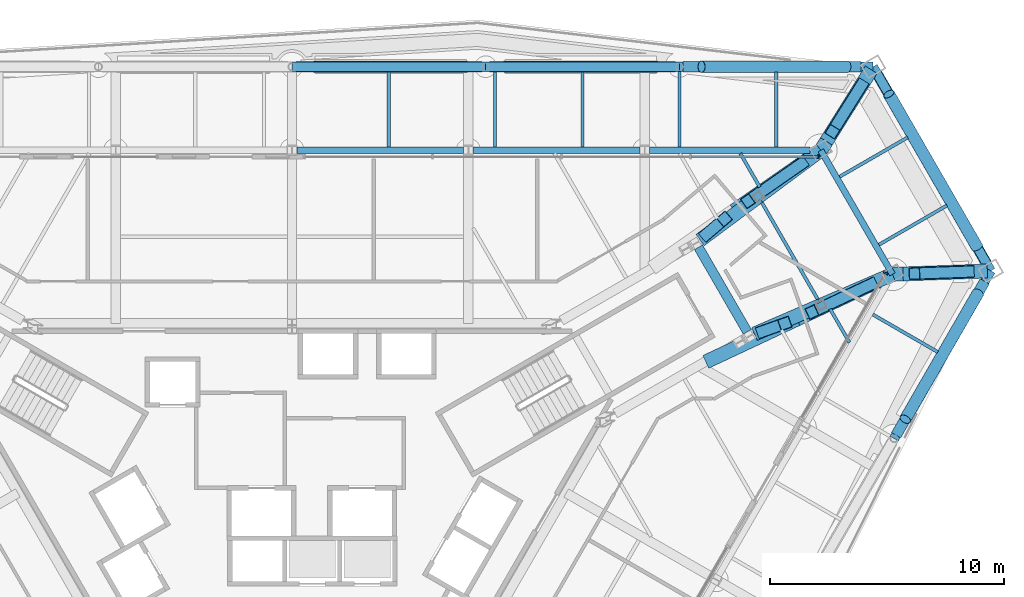
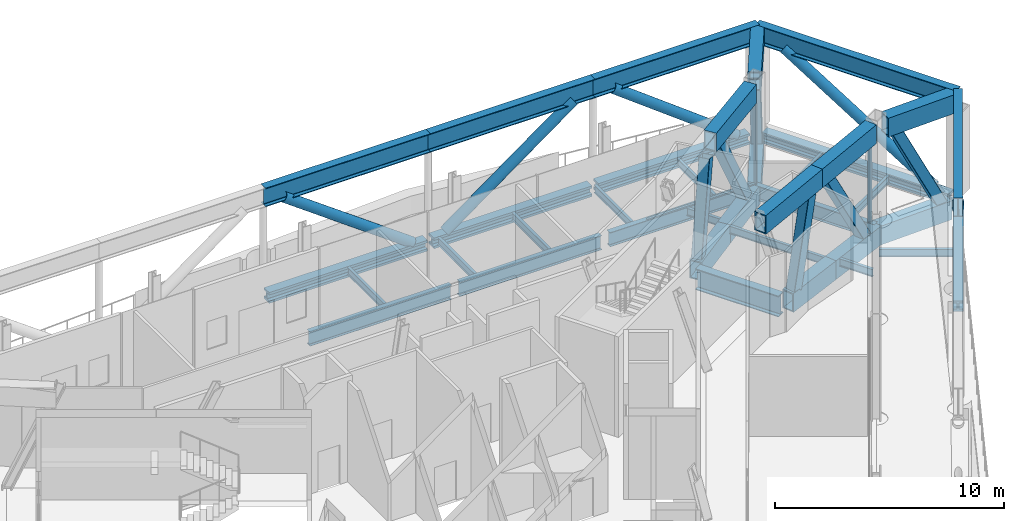
# One storey, part 12 of 25: 37 beams, 14 members, 2 elements without a shape of their own.
"""IFC4 building model written with IfcOpenShell, lengths in metres."""

from ifc_helpers import new_model, si_unit, direction, frame, origin, origin_2d, place, context, subcontext, project, spatial, rectangle, hollow_rectangle, hollow_circle, i_section, extrude, material, material_profile, profile_set, type_object, element, aggregate, save


model = new_model("IFC4")

# Units and contexts
model_context = context("Model", 3, precision=1e-05, world=origin(), true_north=direction((0.0, 1.0)))
body_context = subcontext(model_context, "Body", "Model", "MODEL_VIEW")
ifc_project = project(units=[si_unit("LENGTHUNIT", "METRE"), si_unit("AREAUNIT", "SQUARE_METRE"), si_unit("VOLUMEUNIT", "CUBIC_METRE"), si_unit("PLANEANGLEUNIT", "RADIAN"), si_unit("MASSUNIT", "GRAM", prefix="KILO")], contexts=[model_context])

# Site, building, storey
site_placement = place(None, origin())
site = spatial("IfcSite", under=ifc_project, at=site_placement, CompositionType="ELEMENT")
building_placement = place(site_placement, origin())
building = spatial("IfcBuilding", under=site, at=building_placement, Name="Verrane Prism Tower", CompositionType="ELEMENT")
storey_placement = place(building_placement, frame((0.0, 0.0, 143.199951171875)))
storey = spatial("IfcBuildingStorey", under=building, at=storey_placement, Name="L35", CompositionType="ELEMENT", Elevation=143.199951171875)

# Beams
ifc_material_1 = material(Name="Steel A992", Category="steel")
ifc_material_profile_1 = material_profile(ifc_material_1, i_section(OverallWidth=0.45458984375, OverallDepth=0.56884765625, WebThickness=0.077880859375, FlangeThickness=0.124755859375, FilletRadius=0.01513671875, at=origin_2d()), Name="W14x730")
ifc_profile_set_1 = profile_set([ifc_material_profile_1], Name="Steel A992")
beam_type_1 = type_object("IfcBeamType", Name="Belt truss chord W14x730", PredefinedType="BEAM", material=ifc_profile_set_1)
beam_1_placement = place(storey_placement, frame((24.3603515625, 20.18994140625, -0.445556640625), z_axis=(-1.0, 0.0, 0.0), x_axis=(0.0, -1.0, 0.0)))
element("IfcBeam", 1, at=beam_1_placement, inside=storey, type_object=beam_type_1, Name="Belt truss chord L35", PredefinedType="BEAM", context=body_context, shape_type="SweptSolid", body=[
    extrude(i_section(OverallWidth=0.45458984375, OverallDepth=0.56884765625, WebThickness=0.077880859375, FlangeThickness=0.124755859375, FilletRadius=0.01513671875, at=origin_2d()), origin(), (0.0, 0.0, 1.0), 7.61767578125),
])
for number, where, z_axis, x_axis, name in (
    (2, (16.41748046875, 20.18994140625, -0.445556640625), (-1.0, 0.0, 0.0), (0.0, -1.0, 0.0), "Belt truss chord L35"),
    (3, (8.12744140625, 20.18994140625, -0.445556640625), (-1.0, 0.0, 0.0), (0.0, -1.0, 0.0), "Belt truss chord L35"),
):
    element("IfcBeam", number, at=place(storey_placement, frame(where, z_axis=z_axis, x_axis=x_axis)), inside=storey, type_object=beam_type_1, Name=name, PredefinedType="BEAM", context=body_context, shape_type="SweptSolid", body=[
        extrude(i_section(OverallWidth=0.45458984375, OverallDepth=0.56884765625, WebThickness=0.077880859375, FlangeThickness=0.124755859375, FilletRadius=0.01513671875, at=origin_2d()), origin(), (0.0, 0.0, 1.0), 7.96484375),
    ])
beam_2_placement = place(storey_placement, frame((25.861083984375, 4.410888671875, -0.445556640625), z_axis=(0.499529773895, 0.866296718794, 0.0), x_axis=(-0.866296718794, 0.499529773895, 0.0)))
element("IfcBeam", 4, at=beam_2_placement, inside=storey, type_object=beam_type_1, Name="Belt truss chord L35", PredefinedType="BEAM", context=body_context, shape_type="SweptSolid", body=[
    extrude(i_section(OverallWidth=0.45458984375, OverallDepth=0.56884765625, WebThickness=0.077880859375, FlangeThickness=0.124755859375, FilletRadius=0.01513671875, at=origin_2d()), origin(), (0.0, 0.0, 1.0), 7.605712890625),
])
beam_3_placement = place(storey_placement, frame((29.7451171875, 11.753173828125, -0.445556640625), z_axis=(-0.499562619687, 0.866277778205, 0.0), x_axis=(-0.866277778205, -0.499562619687, 0.0)))
element("IfcBeam", 5, at=beam_3_placement, inside=storey, type_object=beam_type_1, Name="Belt truss chord L35", PredefinedType="BEAM", context=body_context, shape_type="SweptSolid", body=[
    extrude(i_section(OverallWidth=0.45458984375, OverallDepth=0.56884765625, WebThickness=0.077880859375, FlangeThickness=0.124755859375, FilletRadius=0.01513671875, at=origin_2d()), origin(), (0.0, 0.0, 1.0), 9.38916015625),
])
ifc_material_2 = material(Name="Steel A992", Category="steel")
ifc_material_profile_2 = material_profile(ifc_material_2, i_section(OverallWidth=0.4013671875, OverallDepth=1.000732421875, WebThickness=0.01904296875, FlangeThickness=0.0361328125, FilletRadius=0.030029296875, at=origin_2d()), Name="W40x249")
ifc_profile_set_2 = profile_set([ifc_material_profile_2], Name="Steel A992")
beam_type_2 = type_object("IfcBeamType", Name="Belt truss chord W40x249", PredefinedType="BEAM", material=ifc_profile_set_2)
beam_4_placement = place(storey_placement, frame((24.8798828125, 20.18994140625, 4.939697265625), z_axis=(-1.0, 0.0, 0.0), x_axis=(0.0, -1.0, 0.0)))
element("IfcBeam", 6, at=beam_4_placement, inside=storey, type_object=beam_type_2, Name="Belt truss chord L35", PredefinedType="BEAM", context=body_context, shape_type="SweptSolid", body=[
    extrude(i_section(OverallWidth=0.4013671875, OverallDepth=1.000732421875, WebThickness=0.01904296875, FlangeThickness=0.0361328125, FilletRadius=0.030029296875, at=origin_2d()), origin(), (0.0, 0.0, 1.0), 8.2998046875),
])
for number, where, z_axis, x_axis, name in (
    (7, (16.580078125, 20.18994140625, 4.939697265625), (-1.0, 0.0, 0.0), (0.0, -1.0, 0.0), "Belt truss chord L35"),
    (8, (8.2900390625, 20.18994140625, 4.939697265625), (-1.0, 0.0, 0.0), (0.0, -1.0, 0.0), "Belt truss chord L35"),
):
    element("IfcBeam", number, at=place(storey_placement, frame(where, z_axis=z_axis, x_axis=x_axis)), inside=storey, type_object=beam_type_2, Name=name, PredefinedType="BEAM", context=body_context, shape_type="SweptSolid", body=[
        extrude(i_section(OverallWidth=0.4013671875, OverallDepth=1.000732421875, WebThickness=0.01904296875, FlangeThickness=0.0361328125, FilletRadius=0.030029296875, at=origin_2d()), origin(), (0.0, 0.0, 1.0), 8.2900390625),
    ])
beam_5_placement = place(storey_placement, frame((25.780029296875, 4.27001953125, 4.939697265625), z_axis=(0.499507376936, 0.866309633091, 0.0), x_axis=(-0.866309633091, 0.499507376936, 0.0)))
element("IfcBeam", 9, at=beam_5_placement, inside=storey, type_object=beam_type_2, Name="Belt truss chord L35", PredefinedType="BEAM", context=body_context, shape_type="SweptSolid", body=[
    extrude(i_section(OverallWidth=0.4013671875, OverallDepth=1.000732421875, WebThickness=0.01904296875, FlangeThickness=0.0361328125, FilletRadius=0.030029296875, at=origin_2d()), origin(), (0.0, 0.0, 1.0), 8.287841796875),
])
beam_6_placement = place(storey_placement, frame((29.919921875, 11.449951171875, 4.939697265625), z_axis=(-0.499554155602, 0.866282659194, 0.0), x_axis=(-0.866282659194, -0.499554155602, 0.0)))
element("IfcBeam", 10, at=beam_6_placement, inside=storey, type_object=beam_type_2, Name="Belt truss chord L35", PredefinedType="BEAM", context=body_context, shape_type="SweptSolid", body=[
    extrude(i_section(OverallWidth=0.4013671875, OverallDepth=1.000732421875, WebThickness=0.01904296875, FlangeThickness=0.0361328125, FilletRadius=0.030029296875, at=origin_2d()), origin(), (0.0, 0.0, 1.0), 10.089111328125),
])

# Members
ifc_material_3 = material(Name="Steel A500 Grade C", Category="steel")
ifc_material_profile_3 = material_profile(ifc_material_3, hollow_circle(Radius=0.25390625, WallThickness=0.0126953125, at=origin_2d()), Name="HSS20.000x0.500")
ifc_profile_set_3 = profile_set([ifc_material_profile_3], Name="Steel A500 Grade C")
member_type_1 = type_object("IfcMemberType", Name="Belt truss diagonal HSS20.000x0.500", PredefinedType="BRACE", material=ifc_profile_set_3)
member_1_placement = place(storey_placement, frame((29.330322265625, 12.47265625, -0.160888671875), z_axis=(-0.423968800336, 0.735208230676, 0.528884972265), x_axis=(-0.866282369064, -0.499554658721, 0.0)))
element("IfcMember", 11, at=member_1_placement, inside=storey, type_object=member_type_1, Name="Belt truss diagonal L35", PredefinedType="BRACE", context=body_context, shape_type="SweptSolid", body=[
    extrude(hollow_circle(Radius=0.25390625, WallThickness=0.0126953125, at=origin_2d()), origin(), (0.0, 0.0, 1.0), 8.905517578125),
])
member_2_placement = place(storey_placement, frame((23.77880859375, 20.18994140625, -0.160888671875), z_axis=(-0.798371479892, 0.0, 0.602165243181), x_axis=(0.0, -1.0, 0.0)))
element("IfcMember", 12, at=member_2_placement, inside=storey, type_object=member_type_1, Name="Belt truss diagonal L35", PredefinedType="BRACE", context=body_context, shape_type="SweptSolid", body=[
    extrude(hollow_circle(Radius=0.25390625, WallThickness=0.0126953125, at=origin_2d()), origin(), (0.0, 0.0, 1.0), 7.82177734375),
])
for number, where, z_axis, x_axis, name in (
    (13, (9.118408203125, 20.18994140625, -0.160888671875), (0.809215173092, 0.0, 0.587512385944), (0.0, 1.0, 0.0), "Belt truss diagonal L35"),
    (14, (7.461669921875, 20.18994140625, -0.160888671875), (-0.809215173092, 0.0, 0.587512385944), (0.0, -1.0, 0.0), "Belt truss diagonal L35"),
):
    element("IfcMember", number, at=place(storey_placement, frame(where, z_axis=z_axis, x_axis=x_axis)), inside=storey, type_object=member_type_1, Name=name, PredefinedType="BRACE", context=body_context, shape_type="SweptSolid", body=[
        extrude(hollow_circle(Radius=0.25390625, WallThickness=0.0126953125, at=origin_2d()), origin(), (0.0, 0.0, 1.0), 8.016845703125),
    ])
member_3_placement = place(storey_placement, frame((29.370361328125, 10.49658203125, -0.160888671875), z_axis=(-0.398552898475, -0.69121040119, 0.602813211869), x_axis=(0.866306176798, -0.499513371234, 0.0)))
element("IfcMember", 15, at=member_3_placement, inside=storey, type_object=member_type_1, Name="Belt truss diagonal L35", PredefinedType="BRACE", context=body_context, shape_type="SweptSolid", body=[
    extrude(hollow_circle(Radius=0.25390625, WallThickness=0.0126953125, at=origin_2d()), origin(), (0.0, 0.0, 1.0), 7.813232421875),
])

# Beams
ifc_material_4 = material(Name="Steel A992", Category="steel")
ifc_material_profile_4 = material_profile(ifc_material_4, i_section(OverallWidth=0.2666015625, OverallDepth=0.76708984375, WebThickness=0.014892578125, FlangeThickness=0.023681640625, FilletRadius=0.0166015625, at=origin_2d()), Name="W30x124")
ifc_profile_set_4 = profile_set([ifc_material_profile_4], Name="Steel A992")
beam_type_3 = type_object("IfcBeamType", Name="Chamfer spandrel beam W30x124", PredefinedType="SPANDREL", material=ifc_profile_set_4)
beam_7_placement = place(storey_placement, frame((25.7099609375, 11.300048828125, -0.54345703125), z_axis=(-0.500526255644, 0.86572135668, 0.0), x_axis=(-0.86572135668, -0.500526255644, 0.0)))
element("IfcBeam", 16, at=beam_7_placement, inside=storey, type_object=beam_type_3, Name="Chamfer spandrel beam L35", PredefinedType="SPANDREL", context=body_context, shape_type="SweptSolid", body=[
    extrude(i_section(OverallWidth=0.2666015625, OverallDepth=0.76708984375, WebThickness=0.014892578125, FlangeThickness=0.023681640625, FilletRadius=0.0166015625, at=origin_2d()), origin(), (0.0, 0.0, 1.0), 6.1337890625),
])
ifc_material_5 = material(Name="Steel A992", Category="steel")
ifc_material_profile_5 = material_profile(ifc_material_5, i_section(OverallWidth=0.140380859375, OverallDepth=0.40380859375, WebThickness=0.007080078125, FlangeThickness=0.01123046875, FilletRadius=0.01025390625, at=origin_2d()), Name="W16x31")
ifc_profile_set_5 = profile_set([ifc_material_profile_5], Name="Steel A992")
beam_type_4 = type_object("IfcBeamType", Name="Floor beam W16x31", PredefinedType="BEAM", material=ifc_profile_set_5)
beam_8_placement = place(storey_placement, frame((20.7333984375, 16.743408203125, -0.36181640625), z_axis=(0.0, 1.0, 0.0), x_axis=(-1.0, 0.0, 0.0)))
element("IfcBeam", 17, at=beam_8_placement, inside=storey, type_object=beam_type_4, Name="Floor beam L35", PredefinedType="BEAM", context=body_context, shape_type="SweptSolid", body=[
    extrude(i_section(OverallWidth=0.140380859375, OverallDepth=0.40380859375, WebThickness=0.007080078125, FlangeThickness=0.01123046875, FilletRadius=0.01025390625, at=origin_2d()), origin(), (0.0, 0.0, 1.0), 3.218994140625),
])
beam_9_placement = place(storey_placement, frame((16.586669921875, 16.743408203125, -0.36181640625), z_axis=(0.0, 1.0, 0.0), x_axis=(-1.0, 0.0, 0.0)))
element("IfcBeam", 18, at=beam_9_placement, inside=storey, type_object=beam_type_4, Name="Floor beam L35", PredefinedType="BEAM", context=body_context, shape_type="SweptSolid", body=[
    extrude(i_section(OverallWidth=0.140380859375, OverallDepth=0.40380859375, WebThickness=0.007080078125, FlangeThickness=0.01123046875, FilletRadius=0.01025390625, at=origin_2d()), origin(), (0.0, 0.0, 1.0), 3.24609375),
])
for number, where, z_axis, x_axis, name in (
    (19, (12.43994140625, 16.743408203125, -0.36181640625), (0.0, 1.0, 0.0), (-1.0, 0.0, 0.0), "Floor beam L35"),
    (20, (8.693359375, 16.743408203125, -0.36181640625), (0.0, 1.0, 0.0), (-1.0, 0.0, 0.0), "Floor beam L35"),
    (21, (4.146728515625, 16.743408203125, -0.36181640625), (0.0, 1.0, 0.0), (-1.0, 0.0, 0.0), "Floor beam L35"),
):
    element("IfcBeam", number, at=place(storey_placement, frame(where, z_axis=z_axis, x_axis=x_axis)), inside=storey, type_object=beam_type_4, Name=name, PredefinedType="BEAM", context=body_context, shape_type="SweptSolid", body=[
        extrude(i_section(OverallWidth=0.140380859375, OverallDepth=0.40380859375, WebThickness=0.007080078125, FlangeThickness=0.01123046875, FilletRadius=0.01025390625, at=origin_2d()), origin(), (0.0, 0.0, 1.0), 3.218994140625),
    ])
beam_10_placement = place(storey_placement, frame((20.02490234375, 15.03955078125, -0.36181640625), z_axis=(-0.499968694491, 0.866043477274, 0.0), x_axis=(-0.866043477274, -0.499968694491, 0.0)))
element("IfcBeam", 22, at=beam_10_placement, inside=storey, type_object=beam_type_4, Name="Floor beam L35", PredefinedType="BEAM", context=body_context, shape_type="SweptSolid", body=[
    extrude(i_section(OverallWidth=0.140380859375, OverallDepth=0.40380859375, WebThickness=0.007080078125, FlangeThickness=0.01123046875, FilletRadius=0.01025390625, at=origin_2d()), origin(), (0.0, 0.0, 1.0), 1.6591796875),
])
beam_11_placement = place(storey_placement, frame((27.652099609375, 7.971923828125, -0.36181640625), z_axis=(-0.866009786687, 0.500027048631, 0.0), x_axis=(-0.500027048631, -0.866009786687, 0.0)))
element("IfcBeam", 23, at=beam_11_placement, inside=storey, type_object=beam_type_4, Name="Floor beam L35", PredefinedType="BEAM", context=body_context, shape_type="SweptSolid", body=[
    extrude(i_section(OverallWidth=0.140380859375, OverallDepth=0.40380859375, WebThickness=0.007080078125, FlangeThickness=0.01123046875, FilletRadius=0.01025390625, at=origin_2d()), origin(), (0.0, 0.0, 1.0), 3.214599609375),
])
beam_12_placement = place(storey_placement, frame((23.867919921875, 8.384033203125, -0.36181640625), z_axis=(-0.500147508754, 0.865940222814, 0.0), x_axis=(-0.865940222814, -0.500147508754, 0.0)))
element("IfcBeam", 24, at=beam_12_placement, inside=storey, type_object=beam_type_4, Name="Floor beam L35", PredefinedType="BEAM", context=body_context, shape_type="SweptSolid", body=[
    extrude(i_section(OverallWidth=0.140380859375, OverallDepth=0.40380859375, WebThickness=0.007080078125, FlangeThickness=0.01123046875, FilletRadius=0.01025390625, at=origin_2d()), origin(), (0.0, 0.0, 1.0), 1.6572265625),
])
beam_13_placement = place(storey_placement, frame((25.130859375, 12.568359375, -0.36181640625), z_axis=(0.86604533599, 0.499965474818, 0.0), x_axis=(-0.499965474818, 0.86604533599, 0.0)))
element("IfcBeam", 25, at=beam_13_placement, inside=storey, type_object=beam_type_4, Name="Floor beam L35", PredefinedType="BEAM", context=body_context, shape_type="SweptSolid", body=[
    extrude(i_section(OverallWidth=0.140380859375, OverallDepth=0.40380859375, WebThickness=0.007080078125, FlangeThickness=0.01123046875, FilletRadius=0.01025390625, at=origin_2d()), origin(), (0.0, 0.0, 1.0), 3.362548828125),
])
beam_14_placement = place(storey_placement, frame((23.44775390625, 15.479736328125, -0.36181640625), z_axis=(0.86602978671, 0.499992408473, 0.0), x_axis=(-0.499992408473, 0.86602978671, 0.0)))
element("IfcBeam", 26, at=beam_14_placement, inside=storey, type_object=beam_type_4, Name="Floor beam L35", PredefinedType="BEAM", context=body_context, shape_type="SweptSolid", body=[
    extrude(i_section(OverallWidth=0.140380859375, OverallDepth=0.40380859375, WebThickness=0.007080078125, FlangeThickness=0.01123046875, FilletRadius=0.01025390625, at=origin_2d()), origin(), (0.0, 0.0, 1.0), 3.3662109375),
])
beam_15_placement = place(storey_placement, frame((22.503173828125, 10.2412109375, -0.36181640625), z_axis=(-0.500005049665, 0.866022488339, 0.0), x_axis=(-0.866022488339, -0.500005049665, 0.0)))
element("IfcBeam", 27, at=beam_15_placement, inside=storey, type_object=beam_type_4, Name="Floor beam L35", PredefinedType="BEAM", context=body_context, shape_type="SweptSolid", body=[
    extrude(i_section(OverallWidth=0.140380859375, OverallDepth=0.40380859375, WebThickness=0.007080078125, FlangeThickness=0.01123046875, FilletRadius=0.01025390625, at=origin_2d()), origin(), (0.0, 0.0, 1.0), 4.76123046875),
])

# Curtain wall, member
ifc_material_6 = material(Name="Aluminium framed insulated glazing", Category="aluminium")
curtain_wall_type_1 = type_object("IfcCurtainWallType", Name="Curtain wall CW-B 5600 module", PredefinedType="NOTDEFINED", material=ifc_material_6)
curtain_wall_1_placement = place(storey_placement, origin())
curtain_wall_1 = element("IfcCurtainWall", 28, at=curtain_wall_1_placement, inside=storey, type_object=curtain_wall_type_1, Name="Refuge lounge glazing north face L35 1", PredefinedType="NOTDEFINED")
ifc_material_7 = material(Name="Aluminium alloy 6063-T6", Category="aluminium")
ifc_material_profile_6 = material_profile(ifc_material_7, rectangle(XDim=0.159912109375, YDim=0.06005859375, at=origin_2d()), Name="Mullion 60x160 aluminium")
ifc_profile_set_6 = profile_set([ifc_material_profile_6], Name="Aluminium alloy 6063-T6")
member_type_2 = type_object("IfcMemberType", Name="Mullion 60x160 aluminium", PredefinedType="MULLION", material=ifc_profile_set_6)
member_4_placement = place(storey_placement, frame((22.540283203125, 16.3310546875, 0.0), z_axis=(0.0, 0.0, 1.0), x_axis=(0.0, -1.0, 0.0)))
member_4 = element("IfcMember", 29, at=member_4_placement, type_object=member_type_2, Name="CW35.2.1 mullion 1", PredefinedType="MULLION", context=body_context, shape_type="SweptSolid", body=[
    extrude(rectangle(XDim=0.159912109375, YDim=0.06005859375, at=origin_2d()), origin(), (0.0, 0.0, 1.0), 4.322509765625),
])

ifc_material_8 = material(Name="Aluminium framed insulated glazing", Category="aluminium")
curtain_wall_type_2 = type_object("IfcCurtainWallType", Name="Curtain wall CW-A 8400 module", PredefinedType="NOTDEFINED", material=ifc_material_8)
curtain_wall_2_placement = place(storey_placement, origin())
curtain_wall_2 = element("IfcCurtainWall", 30, at=curtain_wall_2_placement, inside=storey, type_object=curtain_wall_type_2, Name="Refuge lounge glazing south-east face L35 3", PredefinedType="NOTDEFINED")
ifc_material_9 = material(Name="Aluminium alloy 6063-T6", Category="aluminium")
ifc_material_profile_7 = material_profile(ifc_material_9, rectangle(XDim=0.199951171875, YDim=0.070068359375, at=origin_2d()), Name="Mullion 70x200 aluminium")
ifc_profile_set_7 = profile_set([ifc_material_profile_7], Name="Aluminium alloy 6063-T6")
member_type_3 = type_object("IfcMemberType", Name="Mullion 70x200 aluminium", PredefinedType="MULLION", material=ifc_profile_set_7)
member_5_placement = place(storey_placement, frame((25.41064453125, 11.3505859375, 0.0), z_axis=(0.0, 0.0, 1.0), x_axis=(-0.866022636037, 0.500004793849, 0.0)))
member_5 = element("IfcMember", 31, at=member_5_placement, type_object=member_type_3, Name="CW35.6.3 mullion 2", PredefinedType="MULLION", context=body_context, shape_type="SweptSolid", body=[
    extrude(rectangle(XDim=0.199951171875, YDim=0.070068359375, at=origin_2d()), origin(), (0.0, 0.0, 1.0), 4.322509765625),
])
aggregate(curtain_wall_2, [member_5])

# Beams
ifc_material_10 = material(Name="Steel A572 Grade 50", Category="steel")
ifc_material_profile_8 = material_profile(ifc_material_10, hollow_rectangle(XDim=0.60009765625, YDim=1.0, WallThickness=0.06005859375, at=origin_2d()), Name="BOX 1000x600x60")
ifc_profile_set_8 = profile_set([ifc_material_profile_8], Name="Steel A572 Grade 50")
beam_type_5 = type_object("IfcBeamType", Name="Outrigger truss chord BOX 1000x600x60", PredefinedType="BEAM", material=ifc_profile_set_8)
beam_16_placement = place(storey_placement, frame((29.410888671875, 11.431884765625, -0.659912109375), z_axis=(-0.999366125424, -0.035599822398, 0.0), x_axis=(0.035599822398, -0.999366125424, 0.0)))
element("IfcBeam", 32, at=beam_16_placement, inside=storey, type_object=beam_type_5, Name="Outrigger truss chord L35", PredefinedType="BEAM", context=body_context, shape_type="SweptSolid", body=[
    extrude(hollow_rectangle(XDim=0.60009765625, YDim=1.0, WallThickness=0.06005859375, at=origin_2d()), origin(), (0.0, 0.0, 1.0), 3.703369140625),
])
beam_17_placement = place(storey_placement, frame((25.7099609375, 11.300048828125, -0.659912109375), z_axis=(-0.917964628263, -0.396662250861, 0.0), x_axis=(0.396662250861, -0.917964628263, 0.0)))
element("IfcBeam", 33, at=beam_17_placement, inside=storey, type_object=beam_type_5, Name="Outrigger truss chord L35", PredefinedType="BEAM", context=body_context, shape_type="SweptSolid", body=[
    extrude(hollow_rectangle(XDim=0.60009765625, YDim=1.0, WallThickness=0.06005859375, at=origin_2d()), origin(), (0.0, 0.0, 1.0), 3.327880859375),
])
beam_18_placement = place(storey_placement, frame((22.655029296875, 9.97998046875, -0.659912109375), z_axis=(-0.917959055432, -0.396675147382, 0.0), x_axis=(0.396675147382, -0.917959055432, 0.0)))
element("IfcBeam", 34, at=beam_18_placement, inside=storey, type_object=beam_type_5, Name="Outrigger truss chord L35", PredefinedType="BEAM", context=body_context, shape_type="SweptSolid", body=[
    extrude(hollow_rectangle(XDim=0.60009765625, YDim=1.0, WallThickness=0.06005859375, at=origin_2d()), origin(), (0.0, 0.0, 1.0), 3.109375),
])
beam_19_placement = place(storey_placement, frame((29.77001953125, 11.444580078125, 4.93994140625), z_axis=(-0.99936698325, -0.035575733161, 0.0), x_axis=(0.035575733161, -0.99936698325, 0.0)))
element("IfcBeam", 35, at=beam_19_placement, inside=storey, type_object=beam_type_5, Name="Outrigger truss chord L35", PredefinedType="BEAM", context=body_context, shape_type="SweptSolid", body=[
    extrude(hollow_rectangle(XDim=0.60009765625, YDim=1.0, WallThickness=0.06005859375, at=origin_2d()), origin(), (0.0, 0.0, 1.0), 3.609619140625),
])
beam_20_placement = place(storey_placement, frame((25.346435546875, 11.129638671875, 4.93994140625), z_axis=(-0.905399166904, -0.424561360194, 0.0), x_axis=(0.424561360194, -0.905399166904, 0.0)))
element("IfcBeam", 36, at=beam_20_placement, inside=storey, type_object=beam_type_5, Name="Outrigger truss chord L35", PredefinedType="BEAM", context=body_context, shape_type="SweptSolid", body=[
    extrude(hollow_rectangle(XDim=0.60009765625, YDim=1.0, WallThickness=0.06005859375, at=origin_2d()), origin(), (0.0, 0.0, 1.0), 4.121337890625),
])
beam_21_placement = place(storey_placement, frame((21.614990234375, 9.3798828125, 4.93994140625), z_axis=(-0.905428283881, -0.424499261187, 0.0), x_axis=(0.424499261187, -0.905428283881, 0.0)))
element("IfcBeam", 37, at=beam_21_placement, inside=storey, type_object=beam_type_5, Name="Outrigger truss chord L35", PredefinedType="BEAM", context=body_context, shape_type="SweptSolid", body=[
    extrude(hollow_rectangle(XDim=0.60009765625, YDim=1.0, WallThickness=0.06005859375, at=origin_2d()), origin(), (0.0, 0.0, 1.0), 4.304931640625),
])
beam_22_placement = place(storey_placement, frame((24.60986328125, 19.758056640625, -0.659912109375), z_axis=(-0.53048343398, -0.847695302731, 0.0), x_axis=(0.847695302731, -0.53048343398, 0.0)))
element("IfcBeam", 38, at=beam_22_placement, inside=storey, type_object=beam_type_5, Name="Outrigger truss chord L35", PredefinedType="BEAM", context=body_context, shape_type="SweptSolid", body=[
    extrude(hollow_rectangle(XDim=0.60009765625, YDim=1.0, WallThickness=0.06005859375, at=origin_2d()), origin(), (0.0, 0.0, 1.0), 3.713623046875),
])
beam_23_placement = place(storey_placement, frame((22.639892578125, 16.610107421875, -0.659912109375), z_axis=(-0.802493873122, -0.596660358665, 0.0), x_axis=(0.596660358665, -0.802493873122, 0.0)))
element("IfcBeam", 39, at=beam_23_placement, inside=storey, type_object=beam_type_5, Name="Outrigger truss chord L35", PredefinedType="BEAM", context=body_context, shape_type="SweptSolid", body=[
    extrude(hollow_rectangle(XDim=0.60009765625, YDim=1.0, WallThickness=0.06005859375, at=origin_2d()), origin(), (0.0, 0.0, 1.0), 3.3271484375),
])
beam_24_placement = place(storey_placement, frame((19.969970703125, 14.625, -0.659912109375), z_axis=(-0.802509592696, -0.596639215633, 0.0), x_axis=(0.596639215633, -0.802509592696, 0.0)))
element("IfcBeam", 40, at=beam_24_placement, inside=storey, type_object=beam_type_5, Name="Outrigger truss chord L35", PredefinedType="BEAM", context=body_context, shape_type="SweptSolid", body=[
    extrude(hollow_rectangle(XDim=0.60009765625, YDim=1.0, WallThickness=0.06005859375, at=origin_2d()), origin(), (0.0, 0.0, 1.0), 3.108154296875),
])
beam_25_placement = place(storey_placement, frame((24.80029296875, 20.062744140625, 4.93994140625), z_axis=(-0.530423221315, -0.847732980537, 0.0), x_axis=(0.847732980537, -0.530423221315, 0.0)))
element("IfcBeam", 41, at=beam_25_placement, inside=storey, type_object=beam_type_5, Name="Outrigger truss chord L35", PredefinedType="BEAM", context=body_context, shape_type="SweptSolid", body=[
    extrude(hollow_rectangle(XDim=0.60009765625, YDim=1.0, WallThickness=0.06005859375, at=origin_2d()), origin(), (0.0, 0.0, 1.0), 3.6201171875),
])
beam_26_placement = place(storey_placement, frame((22.310546875, 16.380615234375, 4.93994140625), z_axis=(-0.820452067847, -0.571715317589, 0.0), x_axis=(0.571715317589, -0.820452067847, 0.0)))
element("IfcBeam", 42, at=beam_26_placement, inside=storey, type_object=beam_type_5, Name="Outrigger truss chord L35", PredefinedType="BEAM", context=body_context, shape_type="SweptSolid", body=[
    extrude(hollow_rectangle(XDim=0.60009765625, YDim=1.0, WallThickness=0.06005859375, at=origin_2d()), origin(), (0.0, 0.0, 1.0), 4.120361328125),
])

# Members
ifc_material_11 = material(Name="Steel A500 Grade C", Category="steel")
ifc_material_profile_9 = material_profile(ifc_material_11, hollow_rectangle(XDim=0.508056640625, YDim=0.508056640625, WallThickness=0.01904296875, InnerFilletRadius=0.009521484375, OuterFilletRadius=0.028564453125, at=origin_2d()), Name="HSS20x20x3/4")
ifc_profile_set_9 = profile_set([ifc_material_profile_9], Name="Steel A500 Grade C")
member_type_4 = type_object("IfcMemberType", Name="Outrigger truss diagonal HSS20x20x3/4", PredefinedType="BRACE", material=ifc_profile_set_9)
member_6_placement = place(storey_placement, frame((28.9794921875, 11.41650390625, -0.219970703125), z_axis=(-0.442420948658, -0.015769275872, 0.896668854219), x_axis=(0.035620529592, -0.999365387569, 0.0)))
element("IfcMember", 43, at=member_6_placement, inside=storey, type_object=member_type_4, Name="Outrigger truss diagonal L35", PredefinedType="BRACE", context=body_context, shape_type="SweptSolid", body=[
    extrude(hollow_rectangle(XDim=0.508056640625, YDim=0.508056640625, WallThickness=0.01904296875, InnerFilletRadius=0.009521484375, OuterFilletRadius=0.028564453125, at=origin_2d()), origin(), (0.0, 0.0, 1.0), 5.263916015625),
])
member_7_placement = place(storey_placement, frame((24.81640625, 10.881103515625, -0.219970703125), z_axis=(-0.464502201695, -0.217821430082, 0.858365615118), x_axis=(0.424571339575, -0.905394487288, 0.0)))
element("IfcMember", 44, at=member_7_placement, inside=storey, type_object=member_type_4, Name="Outrigger truss diagonal L35", PredefinedType="BRACE", context=body_context, shape_type="SweptSolid", body=[
    extrude(hollow_rectangle(XDim=0.508056640625, YDim=0.508056640625, WallThickness=0.01904296875, InnerFilletRadius=0.009521484375, OuterFilletRadius=0.028564453125, at=origin_2d()), origin(), (0.0, 0.0, 1.0), 5.498779296875),
])
member_8_placement = place(storey_placement, frame((20.151123046875, 8.85693359375, -0.219970703125), z_axis=(0.196817389631, 0.070309990128, 0.977915855494), x_axis=(-0.336413055, 0.941714530219, 0.0)))
element("IfcMember", 45, at=member_8_placement, inside=storey, type_object=member_type_4, Name="Outrigger truss diagonal L35", PredefinedType="BRACE", context=body_context, shape_type="SweptSolid", body=[
    extrude(hollow_rectangle(XDim=0.508056640625, YDim=0.508056640625, WallThickness=0.01904296875, InnerFilletRadius=0.009521484375, OuterFilletRadius=0.028564453125, at=origin_2d()), origin(), (0.0, 0.0, 1.0), 4.82666015625),
])
member_9_placement = place(storey_placement, frame((24.38037109375, 19.391357421875, -0.219970703125), z_axis=(-0.235534813834, -0.376382964019, 0.896024115673), x_axis=(0.847699092427, -0.53047737812, 0.0)))
element("IfcMember", 46, at=member_9_placement, inside=storey, type_object=member_type_4, Name="Outrigger truss diagonal L35", PredefinedType="BRACE", context=body_context, shape_type="SweptSolid", body=[
    extrude(hollow_rectangle(XDim=0.508056640625, YDim=0.508056640625, WallThickness=0.01904296875, InnerFilletRadius=0.009521484375, OuterFilletRadius=0.028564453125, at=origin_2d()), origin(), (0.0, 0.0, 1.0), 5.267578125),
])
member_10_placement = place(storey_placement, frame((21.830322265625, 16.0458984375, -0.219970703125), z_axis=(-0.420845531038, -0.29323315963, 0.858430750322), x_axis=(0.57168319155, -0.820474453288, 0.0)))
element("IfcMember", 47, at=member_10_placement, inside=storey, type_object=member_type_4, Name="Outrigger truss diagonal L35", PredefinedType="BRACE", context=body_context, shape_type="SweptSolid", body=[
    extrude(hollow_rectangle(XDim=0.508056640625, YDim=0.508056640625, WallThickness=0.01904296875, InnerFilletRadius=0.009521484375, OuterFilletRadius=0.028564453125, at=origin_2d()), origin(), (0.0, 0.0, 1.0), 5.498291015625),
])
member_11_placement = place(storey_placement, frame((17.745849609375, 13.018798828125, -0.219970703125), z_axis=(0.159187526243, 0.135261342604, 0.977938495349), x_axis=(-0.647514857435, 0.76205282586, 0.0)))
element("IfcMember", 48, at=member_11_placement, inside=storey, type_object=member_type_4, Name="Outrigger truss diagonal L35", PredefinedType="BRACE", context=body_context, shape_type="SweptSolid", body=[
    extrude(hollow_rectangle(XDim=0.508056640625, YDim=0.508056640625, WallThickness=0.01904296875, InnerFilletRadius=0.009521484375, OuterFilletRadius=0.028564453125, at=origin_2d()), origin(), (0.0, 0.0, 1.0), 4.826416015625),
])

# Beams
ifc_material_12 = material(Name="Steel A992", Category="steel")
ifc_material_profile_10 = material_profile(ifc_material_12, i_section(OverallWidth=0.2666015625, OverallDepth=0.7568359375, WebThickness=0.013916015625, FlangeThickness=0.019287109375, FilletRadius=0.0166015625, at=origin_2d()), Name="W30x108")
ifc_profile_set_10 = profile_set([ifc_material_profile_10], Name="Steel A992")
beam_type_6 = type_object("IfcBeamType", Name="Spandrel beam W30x108", PredefinedType="SPANDREL", material=ifc_profile_set_10)
beam_27_placement = place(storey_placement, frame((22.177978515625, 16.610107421875, -0.538330078125), z_axis=(-1.0, 0.0, 0.0), x_axis=(0.0, -1.0, 0.0)))
element("IfcBeam", 49, at=beam_27_placement, inside=storey, type_object=beam_type_6, Name="Spandrel beam L35", PredefinedType="SPANDREL", context=body_context, shape_type="SweptSolid", body=[
    extrude(i_section(OverallWidth=0.2666015625, OverallDepth=0.7568359375, WebThickness=0.013916015625, FlangeThickness=0.019287109375, FilletRadius=0.0166015625, at=origin_2d()), origin(), (0.0, 0.0, 1.0), 6.872314453125),
])
beam_28_placement = place(storey_placement, frame((14.894287109375, 16.610107421875, -0.538330078125), z_axis=(-1.0, 0.0, 0.0), x_axis=(0.0, -1.0, 0.0)))
element("IfcBeam", 50, at=beam_28_placement, inside=storey, type_object=beam_type_6, Name="Spandrel beam L35", PredefinedType="SPANDREL", context=body_context, shape_type="SweptSolid", body=[
    extrude(i_section(OverallWidth=0.2666015625, OverallDepth=0.7568359375, WebThickness=0.013916015625, FlangeThickness=0.019287109375, FilletRadius=0.0166015625, at=origin_2d()), origin(), (0.0, 0.0, 1.0), 7.138671875),
])
beam_29_placement = place(storey_placement, frame((7.34423828125, 16.610107421875, -0.538330078125), z_axis=(-1.0, 0.0, 0.0), x_axis=(0.0, -1.0, 0.0)))
element("IfcBeam", 51, at=beam_29_placement, inside=storey, type_object=beam_type_6, Name="Spandrel beam L35", PredefinedType="SPANDREL", context=body_context, shape_type="SweptSolid", body=[
    extrude(i_section(OverallWidth=0.2666015625, OverallDepth=0.7568359375, WebThickness=0.013916015625, FlangeThickness=0.019287109375, FilletRadius=0.0166015625, at=origin_2d()), origin(), (0.0, 0.0, 1.0), 7.138427734375),
])
ifc_material_13 = material(Name="Steel A992", Category="steel")
ifc_material_profile_11 = material_profile(ifc_material_13, i_section(OverallWidth=0.40380859375, OverallDepth=1.11767578125, WebThickness=0.026123046875, FlangeThickness=0.044921875, FilletRadius=0.02001953125, at=origin_2d()), Name="W44x335")
ifc_profile_set_11 = profile_set([ifc_material_profile_11], Name="Steel A992")
beam_type_7 = type_object("IfcBeamType", Name="Transfer girder W44x335", PredefinedType="BEAM", material=ifc_profile_set_11)
beam_30_placement = place(storey_placement, frame((19.4970703125, 8.838134765625, -0.808837890625), z_axis=(-0.500367003619, 0.865813410435, 0.0), x_axis=(-0.865813410435, -0.500367003619, 0.0)))
element("IfcBeam", 52, at=beam_30_placement, inside=storey, type_object=beam_type_7, Name="Transfer girder L35", PredefinedType="BEAM", context=body_context, shape_type="SweptSolid", body=[
    extrude(i_section(OverallWidth=0.40380859375, OverallDepth=1.11767578125, WebThickness=0.026123046875, FlangeThickness=0.044921875, FilletRadius=0.02001953125, at=origin_2d()), origin(), (0.0, 0.0, 1.0), 4.185302734375),
])

# Member
ifc_material_14 = material(Name="Aluminium alloy 6063-T6", Category="aluminium")
ifc_material_profile_12 = material_profile(ifc_material_14, rectangle(XDim=0.1201171875, YDim=0.06005859375, at=origin_2d()), Name="Transom 60x120 aluminium")
ifc_profile_set_12 = profile_set([ifc_material_profile_12], Name="Aluminium alloy 6063-T6")
member_type_5 = type_object("IfcMemberType", Name="Transom 60x120 aluminium", PredefinedType="USERDEFINED", material=ifc_profile_set_12)
member_12_placement = place(storey_placement, frame((22.51025390625, 16.3310546875, 0.030029296875), z_axis=(-1.0, 0.0, 0.0), x_axis=(0.0, -1.0, 0.0)))
member_12 = element("IfcMember", 53, at=member_12_placement, type_object=member_type_5, Name="CW35.2.1 transom 1", ObjectType="TRANSOM", PredefinedType="USERDEFINED", context=body_context, shape_type="SweptSolid", body=[
    extrude(rectangle(XDim=0.1201171875, YDim=0.06005859375, at=origin_2d()), origin(), (0.0, 0.0, 1.0), 5.42578125),
])

aggregate(curtain_wall_1, [member_4, member_12])

save(model, "model.ifc")
